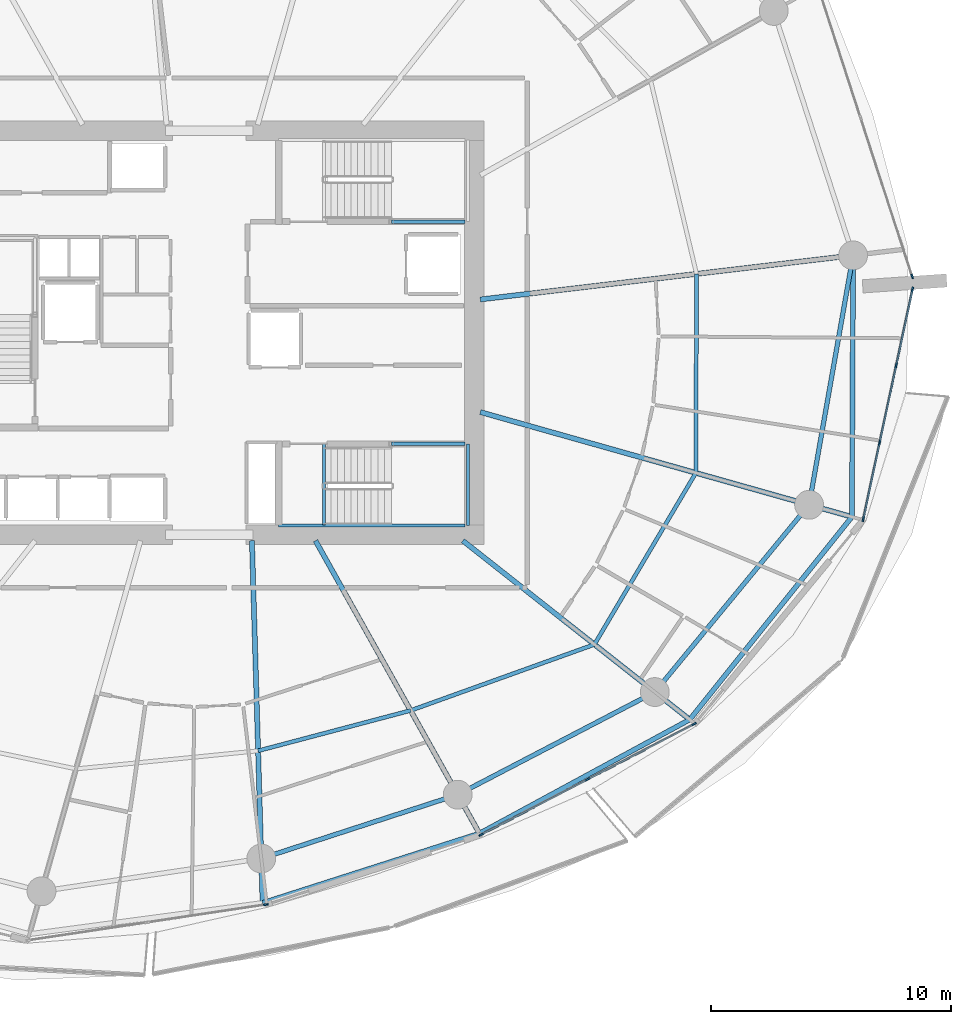
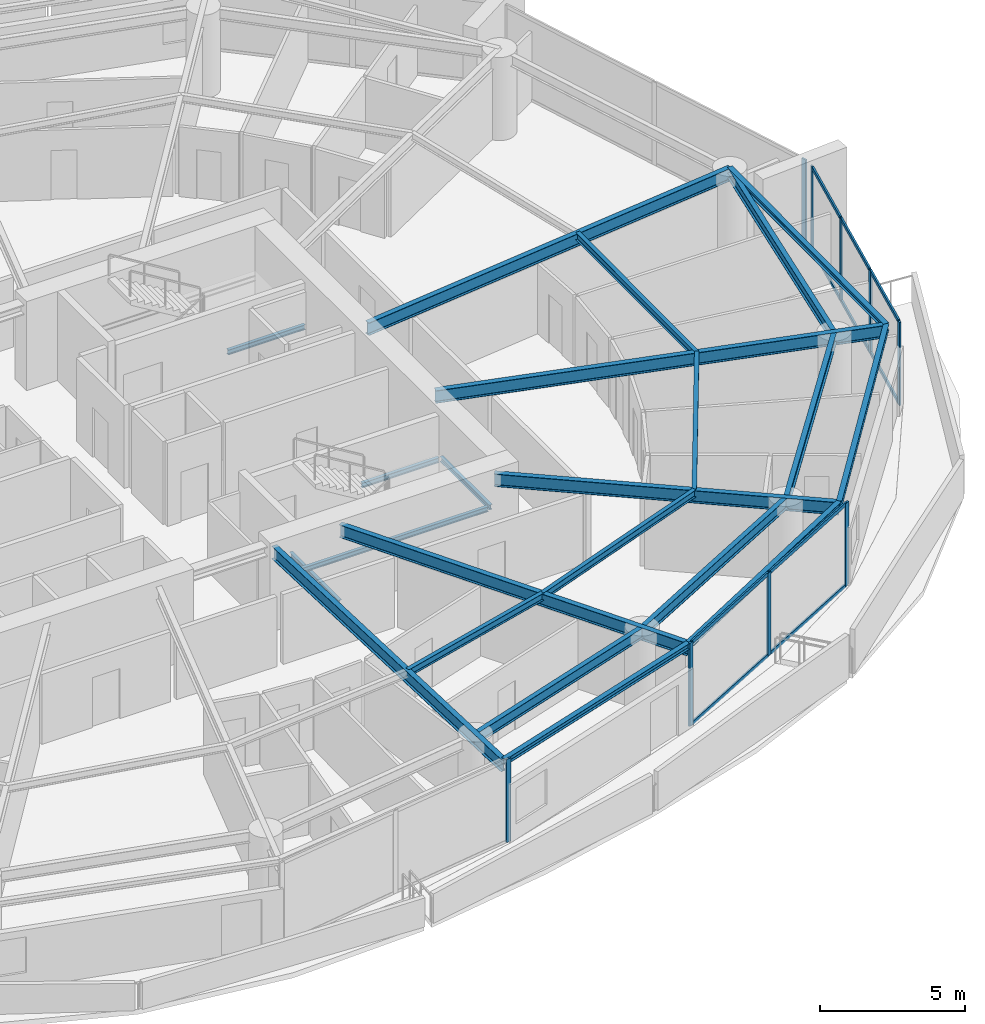
# One storey, part 7 of 23: 22 beams, 19 members, 4 elements without a shape of their own.
"""IFC4 building model written with IfcOpenShell, lengths in metres."""

from ifc_helpers import new_model, si_unit, direction, frame, origin, origin_2d, place, context, subcontext, project, spatial, rectangle, i_section, extrude, material, layer, layer_set, material_profile, profile_set, type_object, element, aggregate, save


model = new_model("IFC4")

# Units and contexts
model_context = context("Model", 3, precision=1e-05, world=origin(), true_north=direction((0.0, 1.0)))
body_context = subcontext(model_context, "Body", "Model", "MODEL_VIEW")
ifc_project = project(units=[si_unit("LENGTHUNIT", "METRE"), si_unit("AREAUNIT", "SQUARE_METRE"), si_unit("VOLUMEUNIT", "CUBIC_METRE"), si_unit("PLANEANGLEUNIT", "RADIAN"), si_unit("MASSUNIT", "GRAM", prefix="KILO")], contexts=[model_context])

# Site, building, storey
site_placement = place(None, origin())
site = spatial("IfcSite", under=ifc_project, at=site_placement, CompositionType="ELEMENT")
building_placement = place(site_placement, origin())
building = spatial("IfcBuilding", under=site, at=building_placement, Name="Kazma Halo Residences", CompositionType="ELEMENT")
storey_placement = place(building_placement, frame((0.0, 0.0, 97.64990234375)))
storey = spatial("IfcBuildingStorey", under=building, at=storey_placement, Name="L24", CompositionType="ELEMENT", Elevation=97.64990234375)

# Beams
ifc_material_1 = material(Name="Steel S355", Category="steel")
ifc_material_profile_1 = material_profile(ifc_material_1, i_section(OverallWidth=0.201904296875, OverallDepth=0.2470703125, WebThickness=0.00732421875, FlangeThickness=0.010986328125, FilletRadius=0.011962890625, at=origin_2d()), Name="W250x49.1")
ifc_profile_set_1 = profile_set([ifc_material_profile_1], Name="Steel S355")
beam_type_1 = type_object("IfcBeamType", Name="BM-BAL-CANT", PredefinedType="BEAM", material=ifc_profile_set_1)
beam_1_placement = place(storey_placement, frame((50.642578125, 18.28173828125, 3.376708984375), z_axis=(0.952319061301, 0.305103925709, 0.0), x_axis=(-0.305103925709, 0.952319061301, 0.0)))
element("IfcBeam", 1, at=beam_1_placement, inside=storey, type_object=beam_type_1, Name="L24 wave-balcony tie beam 12", PredefinedType="BEAM", context=body_context, shape_type="SweptSolid", body=[
    extrude(i_section(OverallWidth=0.201904296875, OverallDepth=0.2470703125, WebThickness=0.00732421875, FlangeThickness=0.010986328125, FilletRadius=0.011962890625, at=origin_2d()), origin(), (0.0, 0.0, 1.0), 9.473388671875),
])
beam_2_placement = place(storey_placement, frame((59.664306640625, 21.172119140625, 3.376708984375), z_axis=(0.87930438671, 0.476260218276, 0.0), x_axis=(-0.476260218276, 0.87930438671, 0.0)))
element("IfcBeam", 2, at=beam_2_placement, inside=storey, type_object=beam_type_1, Name="L24 wave-balcony tie beam 13", PredefinedType="BEAM", context=body_context, shape_type="SweptSolid", body=[
    extrude(i_section(OverallWidth=0.201904296875, OverallDepth=0.2470703125, WebThickness=0.00732421875, FlangeThickness=0.010986328125, FilletRadius=0.011962890625, at=origin_2d()), origin(), (0.0, 0.0, 1.0), 9.94677734375),
])
beam_3_placement = place(storey_placement, frame((68.41064453125, 25.909423828125, 3.376708984375), z_axis=(0.62477775999, 0.78080263231, 0.0), x_axis=(-0.78080263231, 0.62477775999, 0.0)))
element("IfcBeam", 3, at=beam_3_placement, inside=storey, type_object=beam_type_1, Name="L24 wave-balcony tie beam 14", PredefinedType="BEAM", context=body_context, shape_type="SweptSolid", body=[
    extrude(i_section(OverallWidth=0.201904296875, OverallDepth=0.2470703125, WebThickness=0.00732421875, FlangeThickness=0.010986328125, FilletRadius=0.011962890625, at=origin_2d()), origin(), (0.0, 0.0, 1.0), 10.79833984375),
])
beam_4_placement = place(storey_placement, frame((75.1572265625, 34.3408203125, 3.376708984375), z_axis=(0.004532963616, 0.999989726068, 0.0), x_axis=(-0.999989726068, 0.004532963616, 0.0)))
element("IfcBeam", 4, at=beam_4_placement, inside=storey, type_object=beam_type_1, Name="L24 wave-balcony tie beam 15", PredefinedType="BEAM", context=body_context, shape_type="SweptSolid", body=[
    extrude(i_section(OverallWidth=0.201904296875, OverallDepth=0.2470703125, WebThickness=0.00732421875, FlangeThickness=0.010986328125, FilletRadius=0.011962890625, at=origin_2d()), origin(), (0.0, 0.0, 1.0), 10.87939453125),
])
ifc_material_profile_2 = material_profile(ifc_material_1, i_section(OverallWidth=0.208984375, OverallDepth=0.532958984375, WebThickness=0.01025390625, FlangeThickness=0.015625, FilletRadius=0.01611328125, at=origin_2d()), Name="W530x92")
ifc_profile_set_2 = profile_set([ifc_material_profile_2], Name="Steel S355")
beam_type_2 = type_object("IfcBeamType", Name="BM-RAD-W530", PredefinedType="BEAM", material=ifc_profile_set_2)
beam_5_placement = place(storey_placement, frame((50.199951171875, 33.35009765625, 3.233642578125), z_axis=(0.029361929959, -0.999568845587, 0.0), x_axis=(0.999568845587, 0.029361929959, 0.0)))
element("IfcBeam", 5, at=beam_5_placement, inside=storey, type_object=beam_type_2, Name="L24 radial floor beam 12", PredefinedType="BEAM", context=body_context, shape_type="SweptSolid", body=[
    extrude(i_section(OverallWidth=0.208984375, OverallDepth=0.532958984375, WebThickness=0.01025390625, FlangeThickness=0.015625, FilletRadius=0.01611328125, at=origin_2d()), origin(), (0.0, 0.0, 1.0), 15.074951171875),
])
beam_6_placement = place(storey_placement, frame((52.84423828125, 33.35009765625, 3.233642578125), z_axis=(0.488625206529, -0.872493786536, 0.0), x_axis=(0.872493786536, 0.488625206529, 0.0)))
element("IfcBeam", 6, at=beam_6_placement, inside=storey, type_object=beam_type_2, Name="L24 radial floor beam 13", PredefinedType="BEAM", context=body_context, shape_type="SweptSolid", body=[
    extrude(i_section(OverallWidth=0.208984375, OverallDepth=0.532958984375, WebThickness=0.01025390625, FlangeThickness=0.015625, FilletRadius=0.01611328125, at=origin_2d()), origin(), (0.0, 0.0, 1.0), 13.957763671875),
])
beam_7_placement = place(storey_placement, frame((58.972412109375, 33.35009765625, 3.233642578125), z_axis=(0.785309999923, -0.619102741086, 0.0), x_axis=(0.619102741086, 0.785309999923, 0.0)))
element("IfcBeam", 7, at=beam_7_placement, inside=storey, type_object=beam_type_2, Name="L24 radial floor beam 14", PredefinedType="BEAM", context=body_context, shape_type="SweptSolid", body=[
    extrude(i_section(OverallWidth=0.208984375, OverallDepth=0.532958984375, WebThickness=0.01025390625, FlangeThickness=0.015625, FilletRadius=0.01611328125, at=origin_2d()), origin(), (0.0, 0.0, 1.0), 12.0185546875),
])
beam_8_placement = place(storey_placement, frame((59.699951171875, 38.7001953125, 3.233642578125), z_axis=(0.962455684158, -0.271438862419, 0.0), x_axis=(0.271438862419, 0.962455684158, 0.0)))
element("IfcBeam", 8, at=beam_8_placement, inside=storey, type_object=beam_type_2, Name="L24 radial floor beam 15", PredefinedType="BEAM", context=body_context, shape_type="SweptSolid", body=[
    extrude(i_section(OverallWidth=0.208984375, OverallDepth=0.532958984375, WebThickness=0.01025390625, FlangeThickness=0.015625, FilletRadius=0.01611328125, at=origin_2d()), origin(), (0.0, 0.0, 1.0), 16.060302734375),
])
beam_9_placement = place(storey_placement, frame((59.699951171875, 43.384765625, 3.233642578125), z_axis=(0.993067536486, 0.1175451742, 0.0), x_axis=(-0.1175451742, 0.993067536486, 0.0)))
element("IfcBeam", 9, at=beam_9_placement, inside=storey, type_object=beam_type_2, Name="L24 radial floor beam 16", PredefinedType="BEAM", context=body_context, shape_type="SweptSolid", body=[
    extrude(i_section(OverallWidth=0.208984375, OverallDepth=0.532958984375, WebThickness=0.01025390625, FlangeThickness=0.015625, FilletRadius=0.01611328125, at=origin_2d()), origin(), (0.0, 0.0, 1.0), 15.61474609375),
])
ifc_material_profile_3 = material_profile(ifc_material_1, i_section(OverallWidth=0.1650390625, OverallDepth=0.31005859375, WebThickness=0.005859375, FlangeThickness=0.009765625, FilletRadius=0.011962890625, at=origin_2d()), Name="W310x38.7")
ifc_profile_set_3 = profile_set([ifc_material_profile_3], Name="Steel S355")
beam_type_3 = type_object("IfcBeamType", Name="BM-SEC-W310B", PredefinedType="JOIST", material=ifc_profile_set_3)
beam_10_placement = place(storey_placement, frame((50.456787109375, 24.6103515625, 3.34521484375), z_axis=(0.966800191214, 0.255533540398, 0.0), x_axis=(-0.255533540398, 0.966800191214, 0.0)))
element("IfcBeam", 10, at=beam_10_placement, inside=storey, type_object=beam_type_3, Name="L24 circumferential floor joist 12", PredefinedType="JOIST", context=body_context, shape_type="SweptSolid", body=[
    extrude(i_section(OverallWidth=0.1650390625, OverallDepth=0.31005859375, WebThickness=0.005859375, FlangeThickness=0.009765625, FilletRadius=0.011962890625, at=origin_2d()), origin(), (0.0, 0.0, 1.0), 6.560791015625),
])
beam_11_placement = place(storey_placement, frame((56.7998046875, 26.286865234375, 3.34521484375), z_axis=(0.941097126818, 0.338136359913, 0.0), x_axis=(-0.338136359913, 0.941097126818, 0.0)))
element("IfcBeam", 11, at=beam_11_placement, inside=storey, type_object=beam_type_3, Name="L24 circumferential floor joist 13", PredefinedType="JOIST", context=body_context, shape_type="SweptSolid", body=[
    extrude(i_section(OverallWidth=0.1650390625, OverallDepth=0.31005859375, WebThickness=0.005859375, FlangeThickness=0.009765625, FilletRadius=0.011962890625, at=origin_2d()), origin(), (0.0, 0.0, 1.0), 8.12548828125),
])
beam_12_placement = place(storey_placement, frame((64.44677734375, 29.034423828125, 3.34521484375), z_axis=(0.508811652677, 0.860877867122, 0.0), x_axis=(-0.860877867122, 0.508811652677, 0.0)))
element("IfcBeam", 12, at=beam_12_placement, inside=storey, type_object=beam_type_3, Name="L24 circumferential floor joist 14", PredefinedType="JOIST", context=body_context, shape_type="SweptSolid", body=[
    extrude(i_section(OverallWidth=0.1650390625, OverallDepth=0.31005859375, WebThickness=0.005859375, FlangeThickness=0.009765625, FilletRadius=0.011962890625, at=origin_2d()), origin(), (0.0, 0.0, 1.0), 8.291015625),
])
beam_13_placement = place(storey_placement, frame((68.665283203125, 36.171875, 3.34521484375), z_axis=(0.003450899697, 0.999994045628, 0.0), x_axis=(-0.999994045628, 0.003450899697, 0.0)))
element("IfcBeam", 13, at=beam_13_placement, inside=storey, type_object=beam_type_3, Name="L24 circumferential floor joist 15", PredefinedType="JOIST", context=body_context, shape_type="SweptSolid", body=[
    extrude(i_section(OverallWidth=0.1650390625, OverallDepth=0.31005859375, WebThickness=0.005859375, FlangeThickness=0.009765625, FilletRadius=0.011962890625, at=origin_2d()), origin(), (0.0, 0.0, 1.0), 8.27734375),
])
ifc_material_profile_4 = material_profile(ifc_material_1, i_section(OverallWidth=0.18994140625, OverallDepth=0.45703125, WebThickness=0.009033203125, FlangeThickness=0.014404296875, FilletRadius=0.01611328125, at=origin_2d()), Name="W460x74")
ifc_profile_set_4 = profile_set([ifc_material_profile_4], Name="Steel S355")
beam_type_4 = type_object("IfcBeamType", Name="BM-SPN-W460", PredefinedType="BEAM", material=ifc_profile_set_4)
beam_14_placement = place(storey_placement, frame((50.58837890625, 20.130859375, 3.271484375), z_axis=(0.951054111927, 0.30902439416, 0.0), x_axis=(-0.30902439416, 0.951054111927, 0.0)))
element("IfcBeam", 14, at=beam_14_placement, inside=storey, type_object=beam_type_4, Name="L24 perimeter ring beam 12", PredefinedType="BEAM", context=body_context, shape_type="SweptSolid", body=[
    extrude(i_section(OverallWidth=0.18994140625, OverallDepth=0.45703125, WebThickness=0.009033203125, FlangeThickness=0.014404296875, FilletRadius=0.01611328125, at=origin_2d()), origin(), (0.0, 0.0, 1.0), 8.592529296875),
])
beam_15_placement = place(storey_placement, frame((58.76025390625, 22.7861328125, 3.271484375), z_axis=(0.886963229644, 0.461840047266, 0.0), x_axis=(-0.461840047266, 0.886963229644, 0.0)))
element("IfcBeam", 15, at=beam_15_placement, inside=storey, type_object=beam_type_4, Name="L24 perimeter ring beam 13", PredefinedType="BEAM", context=body_context, shape_type="SweptSolid", body=[
    extrude(i_section(OverallWidth=0.18994140625, OverallDepth=0.45703125, WebThickness=0.009033203125, FlangeThickness=0.014404296875, FilletRadius=0.01611328125, at=origin_2d()), origin(), (0.0, 0.0, 1.0), 9.242431640625),
])
beam_16_placement = place(storey_placement, frame((66.9580078125, 27.0546875, 3.271484375), z_axis=(0.635989564566, 0.771697656963, 0.0), x_axis=(-0.771697656963, 0.635989564566, 0.0)))
element("IfcBeam", 16, at=beam_16_placement, inside=storey, type_object=beam_type_4, Name="L24 perimeter ring beam 14", PredefinedType="BEAM", context=body_context, shape_type="SweptSolid", body=[
    extrude(i_section(OverallWidth=0.18994140625, OverallDepth=0.45703125, WebThickness=0.009033203125, FlangeThickness=0.014404296875, FilletRadius=0.01611328125, at=origin_2d()), origin(), (0.0, 0.0, 1.0), 10.092529296875),
])
beam_17_placement = place(storey_placement, frame((73.376708984375, 34.843017578125, 3.271484375), z_axis=(0.173653159051, 0.984806874647, 0.0), x_axis=(-0.984806874647, 0.173653159051, 0.0)))
element("IfcBeam", 17, at=beam_17_placement, inside=storey, type_object=beam_type_4, Name="L24 perimeter ring beam 15", PredefinedType="BEAM", context=body_context, shape_type="SweptSolid", body=[
    extrude(i_section(OverallWidth=0.18994140625, OverallDepth=0.45703125, WebThickness=0.009033203125, FlangeThickness=0.014404296875, FilletRadius=0.01611328125, at=origin_2d()), origin(), (0.0, 0.0, 1.0), 10.537353515625),
])
ifc_material_profile_5 = material_profile(ifc_material_1, i_section(OverallWidth=0.133056640625, OverallDepth=0.20703125, WebThickness=0.005859375, FlangeThickness=0.00830078125, FilletRadius=0.010009765625, at=origin_2d()), Name="W200x26.6")
ifc_profile_set_5 = profile_set([ifc_material_profile_5], Name="Steel S355")
beam_type_5 = type_object("IfcBeamType", Name="BM-TRIM-W200", PredefinedType="BEAM", material=ifc_profile_set_5)
beam_18_placement = place(storey_placement, frame((53.199951171875, 34.0, -0.35986328125), z_axis=(0.0, 1.0, 0.0), x_axis=(-1.0, 0.0, 0.0)))
element("IfcBeam", 18, at=beam_18_placement, inside=storey, type_object=beam_type_5, Name="L24 ST-03 floor landing support beam", PredefinedType="BEAM", context=body_context, shape_type="SweptSolid", body=[
    extrude(i_section(OverallWidth=0.133056640625, OverallDepth=0.20703125, WebThickness=0.005859375, FlangeThickness=0.00830078125, FilletRadius=0.010009765625, at=origin_2d()), origin(), (0.0, 0.0, 1.0), 3.3798828125),
])
beam_19_placement = place(storey_placement, frame((56.0, 46.6201171875, 1.570068359375), z_axis=(1.0, 0.0, 0.0), x_axis=(0.0, 1.0, 0.0)))
element("IfcBeam", 19, at=beam_19_placement, inside=storey, type_object=beam_type_5, Name="L24 ST-02 landing south wall ledger", PredefinedType="BEAM", context=body_context, shape_type="SweptSolid", body=[
    extrude(i_section(OverallWidth=0.133056640625, OverallDepth=0.20703125, WebThickness=0.005859375, FlangeThickness=0.00830078125, FilletRadius=0.010009765625, at=origin_2d()), origin(), (0.0, 0.0, 1.0), 3.070068359375),
])
beam_20_placement = place(storey_placement, frame((51.31005859375, 33.97998046875, 1.570068359375), z_axis=(1.0, 0.0, 0.0), x_axis=(0.0, 1.0, 0.0)))
element("IfcBeam", 20, at=beam_20_placement, inside=storey, type_object=beam_type_5, Name="L24 ST-03 landing south wall ledger", PredefinedType="BEAM", context=body_context, shape_type="SweptSolid", body=[
    extrude(i_section(OverallWidth=0.133056640625, OverallDepth=0.20703125, WebThickness=0.005859375, FlangeThickness=0.00830078125, FilletRadius=0.010009765625, at=origin_2d()), origin(), (0.0, 0.0, 1.0), 7.760009765625),
])
beam_21_placement = place(storey_placement, frame((56.0, 37.3798828125, 1.570068359375), z_axis=(1.0, 0.0, 0.0), x_axis=(0.0, 1.0, 0.0)))
element("IfcBeam", 21, at=beam_21_placement, inside=storey, type_object=beam_type_5, Name="L24 ST-03 landing north wall ledger", PredefinedType="BEAM", context=body_context, shape_type="SweptSolid", body=[
    extrude(i_section(OverallWidth=0.133056640625, OverallDepth=0.20703125, WebThickness=0.005859375, FlangeThickness=0.00830078125, FilletRadius=0.010009765625, at=origin_2d()), origin(), (0.0, 0.0, 1.0), 3.070068359375),
])
beam_22_placement = place(storey_placement, frame((59.18994140625, 33.97998046875, 1.570068359375), z_axis=(0.0, 1.0, 0.0), x_axis=(-1.0, 0.0, 0.0)))
element("IfcBeam", 22, at=beam_22_placement, inside=storey, type_object=beam_type_5, Name="L24 ST-03 landing end wall ledger", PredefinedType="BEAM", context=body_context, shape_type="SweptSolid", body=[
    extrude(i_section(OverallWidth=0.133056640625, OverallDepth=0.20703125, WebThickness=0.005859375, FlangeThickness=0.00830078125, FilletRadius=0.010009765625, at=origin_2d()), origin(), (0.0, 0.0, 1.0), 3.39990234375),
])

# Curtain wall, member
ifc_material_2 = material(Name="Aluminium AW-6063 T6 and Triple-Silver Low-E Glass", Category="aluminium")
ifc_layer = layer(ifc_material_2, 0.199951171875)
ifc_layer_set = layer_set([ifc_layer], Name="Aluminium AW-6063 T6 and Triple-Silver Low-E Glass")
curtain_wall_type = type_object("IfcCurtainWallType", Name="CW-SYS-3", PredefinedType="NOTDEFINED", material=ifc_layer_set)
curtain_wall_1_placement = place(storey_placement, origin())
curtain_wall_1 = element("IfcCurtainWall", 23, at=curtain_wall_1_placement, inside=storey, type_object=curtain_wall_type, Name="L24 unitised curtain wall B11", PredefinedType="NOTDEFINED")
ifc_material_3 = material(Name="Aluminium AW-6063 T6", Category="aluminium")
ifc_material_profile_6 = material_profile(ifc_material_3, rectangle(XDim=0.070068359375, YDim=0.199951171875, at=origin_2d()), Name="CWM-70x200")
ifc_profile_set_6 = profile_set([ifc_material_profile_6], Name="Aluminium AW-6063 T6")
member_type_1 = type_object("IfcMemberType", Name="CW-SYS-3-MUL", PredefinedType="MULLION", material=ifc_profile_set_6)
member_1_placement = place(storey_placement, frame((50.780029296875, 18.21337890625, 0.0), z_axis=(0.0, 0.0, 1.0), x_axis=(-0.148717330409, 0.988879747814, 0.0)))
member_1 = element("IfcMember", 24, at=member_1_placement, type_object=member_type_1, Name="CWS-3 mullion 3", PredefinedType="MULLION", context=body_context, shape_type="SweptSolid", body=[
    extrude(rectangle(XDim=0.070068359375, YDim=0.199951171875, at=origin_2d()), origin(), (0.0, 0.0, 1.0), 3.5),
])
aggregate(curtain_wall_1, [member_1])

# Curtain wall, members
curtain_wall_2_placement = place(storey_placement, origin())
curtain_wall_2 = element("IfcCurtainWall", 25, at=curtain_wall_2_placement, inside=storey, type_object=curtain_wall_type, Name="L24 unitised curtain wall B13", PredefinedType="NOTDEFINED")
member_2_placement = place(storey_placement, frame((59.732177734375, 21.1220703125, 0.0), z_axis=(0.0, 0.0, 1.0), x_axis=(-0.460932159481, 0.887435374749, 0.0)))
member_2 = element("IfcMember", 26, at=member_2_placement, type_object=member_type_1, Name="CWS-3 mullion 1", PredefinedType="MULLION", context=body_context, shape_type="SweptSolid", body=[
    extrude(rectangle(XDim=0.070068359375, YDim=0.199951171875, at=origin_2d()), origin(), (0.0, 0.0, 1.0), 3.5),
])
member_3_placement = place(storey_placement, frame((64.1630859375, 23.42333984375, 0.0), z_axis=(0.0, 0.0, 1.0), x_axis=(-0.460932159481, 0.887435374749, 0.0)))
member_3 = element("IfcMember", 27, at=member_3_placement, type_object=member_type_1, Name="CWS-3 mullion 2", PredefinedType="MULLION", context=body_context, shape_type="SweptSolid", body=[
    extrude(rectangle(XDim=0.070068359375, YDim=0.199951171875, at=origin_2d()), origin(), (0.0, 0.0, 1.0), 3.5),
])
member_4_placement = place(storey_placement, frame((68.59375, 25.724609375, 0.0), z_axis=(0.0, 0.0, 1.0), x_axis=(-0.460932159481, 0.887435374749, 0.0)))
member_4 = element("IfcMember", 28, at=member_4_placement, type_object=member_type_1, Name="CWS-3 mullion 3", PredefinedType="MULLION", context=body_context, shape_type="SweptSolid", body=[
    extrude(rectangle(XDim=0.070068359375, YDim=0.199951171875, at=origin_2d()), origin(), (0.0, 0.0, 1.0), 3.5),
])

curtain_wall_3_placement = place(storey_placement, origin())
curtain_wall_3 = element("IfcCurtainWall", 29, at=curtain_wall_3_placement, inside=storey, type_object=curtain_wall_type, Name="L24 unitised curtain wall B15", PredefinedType="NOTDEFINED")
member_5_placement = place(storey_placement, frame((75.6259765625, 34.244873046875, 0.0), z_axis=(0.0, 0.0, 1.0), x_axis=(-0.977774176093, 0.209660822677, 0.0)))
member_5 = element("IfcMember", 30, at=member_5_placement, type_object=member_type_1, Name="CWS-3 mullion 1", PredefinedType="MULLION", context=body_context, shape_type="SweptSolid", body=[
    extrude(rectangle(XDim=0.070068359375, YDim=0.199951171875, at=origin_2d()), origin(), (0.0, 0.0, 1.0), 3.5),
])
member_6_placement = place(storey_placement, frame((76.30712890625, 37.4208984375, 0.0), z_axis=(0.0, 0.0, 1.0), x_axis=(-0.977774176093, 0.209660822677, 0.0)))
member_6 = element("IfcMember", 31, at=member_6_placement, type_object=member_type_1, Name="CWS-3 mullion 2", PredefinedType="MULLION", context=body_context, shape_type="SweptSolid", body=[
    extrude(rectangle(XDim=0.070068359375, YDim=0.199951171875, at=origin_2d()), origin(), (0.0, 0.0, 1.0), 3.5),
])
member_7_placement = place(storey_placement, frame((76.995361328125, 40.63134765625, 0.0), z_axis=(0.0, 0.0, 1.0), x_axis=(-0.977774176093, 0.209660822677, 0.0)))
member_7 = element("IfcMember", 32, at=member_7_placement, type_object=member_type_1, Name="CWS-3 mullion 3", PredefinedType="MULLION", context=body_context, shape_type="SweptSolid", body=[
    extrude(rectangle(XDim=0.070068359375, YDim=0.199951171875, at=origin_2d()), origin(), (0.0, 0.0, 1.0), 3.5),
])
member_8_placement = place(storey_placement, frame((77.676513671875, 43.807373046875, 0.0), z_axis=(0.0, 0.0, 1.0), x_axis=(-0.977774176093, 0.209660822677, 0.0)))
member_8 = element("IfcMember", 33, at=member_8_placement, type_object=member_type_1, Name="CWS-3 mullion 4", PredefinedType="MULLION", context=body_context, shape_type="SweptSolid", body=[
    extrude(rectangle(XDim=0.070068359375, YDim=0.199951171875, at=origin_2d()), origin(), (0.0, 0.0, 1.0), 3.5),
])

# Curtain wall, member
curtain_wall_4_placement = place(storey_placement, origin())
curtain_wall_4 = element("IfcCurtainWall", 34, at=curtain_wall_4_placement, inside=storey, type_object=curtain_wall_type, Name="L24 unitised curtain wall B16", PredefinedType="NOTDEFINED")
member_9_placement = place(storey_placement, frame((77.665283203125, 44.3427734375, 0.0), z_axis=(0.0, 0.0, 1.0), x_axis=(-0.951057722508, -0.309013282008, 0.0)))
member_9 = element("IfcMember", 35, at=member_9_placement, type_object=member_type_1, Name="CWS-3 mullion 1", PredefinedType="MULLION", context=body_context, shape_type="SweptSolid", body=[
    extrude(rectangle(XDim=0.070068359375, YDim=0.199951171875, at=origin_2d()), origin(), (0.0, 0.0, 1.0), 3.5),
])
aggregate(curtain_wall_4, [member_9])

# Member
ifc_material_profile_7 = material_profile(ifc_material_3, rectangle(XDim=0.070068359375, YDim=0.14990234375, at=origin_2d()), Name="CWT-70x150")
ifc_profile_set_7 = profile_set([ifc_material_profile_7], Name="Aluminium AW-6063 T6")
member_type_2 = type_object("IfcMemberType", Name="CW-SYS-3-TRN", PredefinedType="USERDEFINED", material=ifc_profile_set_7)
member_10_placement = place(storey_placement, frame((59.763427734375, 21.13818359375, 0.03515625), z_axis=(0.887427024944, 0.460948235054, 0.0), x_axis=(-0.460948235054, 0.887427024944, 0.0)))
member_10 = element("IfcMember", 36, at=member_10_placement, type_object=member_type_2, Name="CWS-3 transom 1.1", ObjectType="TRANSOM", PredefinedType="USERDEFINED", context=body_context, shape_type="SweptSolid", body=[
    extrude(rectangle(XDim=0.070068359375, YDim=0.14990234375, at=origin_2d()), origin(), (0.0, 0.0, 1.0), 4.922607421875),
])

member_11_placement = place(storey_placement, frame((59.763427734375, 21.13818359375, 3.465087890625), z_axis=(0.887427024944, 0.460948235054, 0.0), x_axis=(-0.460948235054, 0.887427024944, 0.0)))
member_11 = element("IfcMember", 37, at=member_11_placement, type_object=member_type_2, Name="CWS-3 transom 1.2", ObjectType="TRANSOM", PredefinedType="USERDEFINED", context=body_context, shape_type="SweptSolid", body=[
    extrude(rectangle(XDim=0.070068359375, YDim=0.14990234375, at=origin_2d()), origin(), (0.0, 0.0, 1.0), 4.922607421875),
])

member_12_placement = place(storey_placement, frame((64.194091796875, 23.439453125, 0.03515625), z_axis=(0.887437562141, 0.460927948058, 0.0), x_axis=(-0.460927948058, 0.887437562141, 0.0)))
member_12 = element("IfcMember", 38, at=member_12_placement, type_object=member_type_2, Name="CWS-3 transom 2.1", ObjectType="TRANSOM", PredefinedType="USERDEFINED", context=body_context, shape_type="SweptSolid", body=[
    extrude(rectangle(XDim=0.070068359375, YDim=0.14990234375, at=origin_2d()), origin(), (0.0, 0.0, 1.0), 4.9228515625),
])

member_13_placement = place(storey_placement, frame((64.194091796875, 23.439453125, 3.465087890625), z_axis=(0.887437562141, 0.460927948058, 0.0), x_axis=(-0.460927948058, 0.887437562141, 0.0)))
member_13 = element("IfcMember", 39, at=member_13_placement, type_object=member_type_2, Name="CWS-3 transom 2.2", ObjectType="TRANSOM", PredefinedType="USERDEFINED", context=body_context, shape_type="SweptSolid", body=[
    extrude(rectangle(XDim=0.070068359375, YDim=0.14990234375, at=origin_2d()), origin(), (0.0, 0.0, 1.0), 4.9228515625),
])

aggregate(curtain_wall_2, [member_2, member_3, member_4, member_10, member_11, member_12, member_13])

member_14_placement = place(storey_placement, frame((75.63330078125, 34.279052734375, 0.03515625), z_axis=(0.209702197956, 0.977765303216, 0.0), x_axis=(-0.977765303216, 0.209702197956, 0.0)))
member_14 = element("IfcMember", 40, at=member_14_placement, type_object=member_type_2, Name="CWS-3 transom 1.1", ObjectType="TRANSOM", PredefinedType="USERDEFINED", context=body_context, shape_type="SweptSolid", body=[
    extrude(rectangle(XDim=0.070068359375, YDim=0.14990234375, at=origin_2d()), origin(), (0.0, 0.0, 1.0), 3.17822265625),
])

member_15_placement = place(storey_placement, frame((75.63330078125, 34.279052734375, 3.465087890625), z_axis=(0.209702197956, 0.977765303216, 0.0), x_axis=(-0.977765303216, 0.209702197956, 0.0)))
member_15 = element("IfcMember", 41, at=member_15_placement, type_object=member_type_2, Name="CWS-3 transom 1.2", ObjectType="TRANSOM", PredefinedType="USERDEFINED", context=body_context, shape_type="SweptSolid", body=[
    extrude(rectangle(XDim=0.070068359375, YDim=0.14990234375, at=origin_2d()), origin(), (0.0, 0.0, 1.0), 3.17822265625),
])

member_16_placement = place(storey_placement, frame((76.314453125, 37.455078125, 0.03515625), z_axis=(0.209627675811, 0.977781283076, 0.0), x_axis=(-0.977781283076, 0.209627675811, 0.0)))
member_16 = element("IfcMember", 42, at=member_16_placement, type_object=member_type_2, Name="CWS-3 transom 2.1", ObjectType="TRANSOM", PredefinedType="USERDEFINED", context=body_context, shape_type="SweptSolid", body=[
    extrude(rectangle(XDim=0.070068359375, YDim=0.14990234375, at=origin_2d()), origin(), (0.0, 0.0, 1.0), 3.213134765625),
])

member_17_placement = place(storey_placement, frame((76.314453125, 37.455078125, 3.465087890625), z_axis=(0.209627675811, 0.977781283076, 0.0), x_axis=(-0.977781283076, 0.209627675811, 0.0)))
member_17 = element("IfcMember", 43, at=member_17_placement, type_object=member_type_2, Name="CWS-3 transom 2.2", ObjectType="TRANSOM", PredefinedType="USERDEFINED", context=body_context, shape_type="SweptSolid", body=[
    extrude(rectangle(XDim=0.070068359375, YDim=0.14990234375, at=origin_2d()), origin(), (0.0, 0.0, 1.0), 3.213134765625),
])

member_18_placement = place(storey_placement, frame((77.002685546875, 40.66552734375, 0.03515625), z_axis=(0.209717949017, 0.977761924939, 0.0), x_axis=(-0.977761924939, 0.209717949017, 0.0)))
member_18 = element("IfcMember", 44, at=member_18_placement, type_object=member_type_2, Name="CWS-3 transom 3.1", ObjectType="TRANSOM", PredefinedType="USERDEFINED", context=body_context, shape_type="SweptSolid", body=[
    extrude(rectangle(XDim=0.070068359375, YDim=0.14990234375, at=origin_2d()), origin(), (0.0, 0.0, 1.0), 3.177978515625),
])

member_19_placement = place(storey_placement, frame((77.002685546875, 40.66552734375, 3.465087890625), z_axis=(0.209717949017, 0.977761924939, 0.0), x_axis=(-0.977761924939, 0.209717949017, 0.0)))
member_19 = element("IfcMember", 45, at=member_19_placement, type_object=member_type_2, Name="CWS-3 transom 3.2", ObjectType="TRANSOM", PredefinedType="USERDEFINED", context=body_context, shape_type="SweptSolid", body=[
    extrude(rectangle(XDim=0.070068359375, YDim=0.14990234375, at=origin_2d()), origin(), (0.0, 0.0, 1.0), 3.177978515625),
])

aggregate(curtain_wall_3, [member_5, member_6, member_7, member_8, member_14, member_15, member_16, member_17, member_18, member_19])

save(model, "model.ifc")
